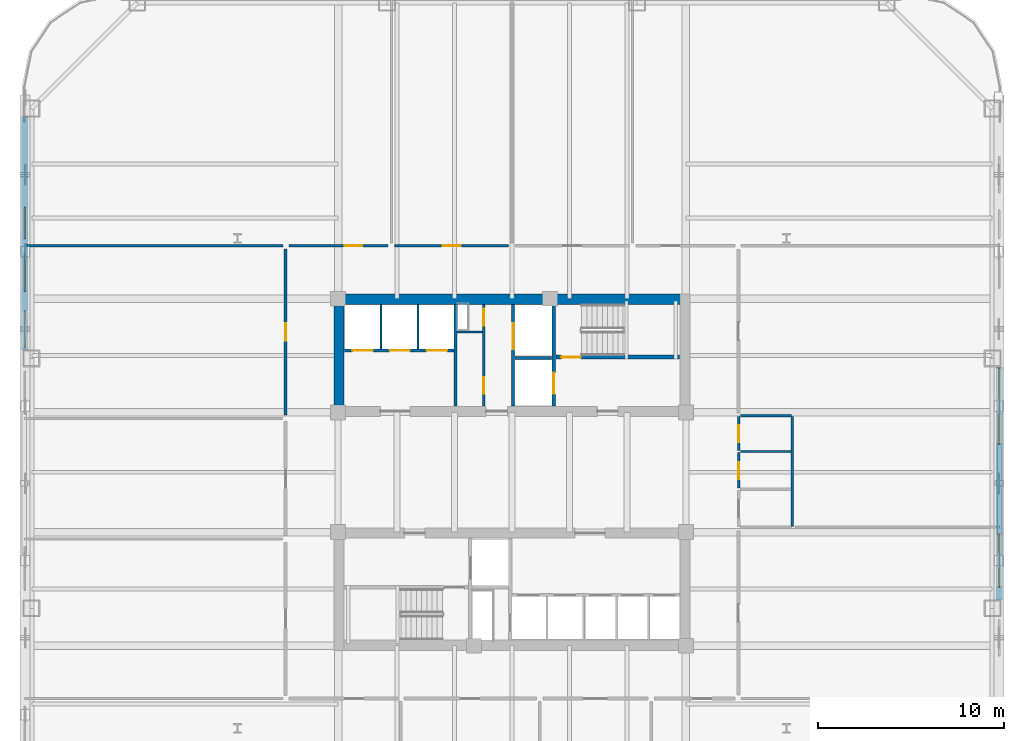
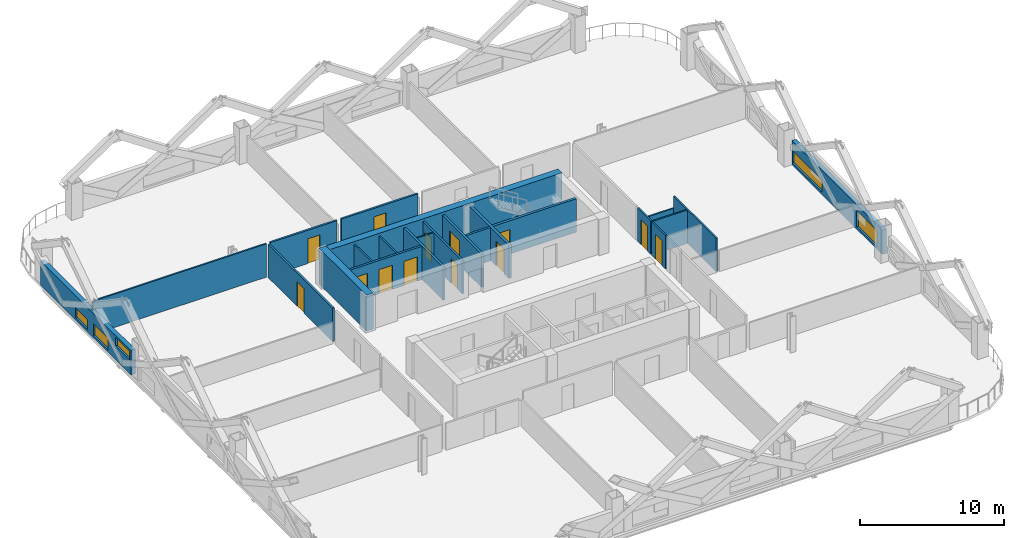
# One storey, part 6 of 13: 23 walls, 13 doors, 5 windows, 18 openings.
"""IFC4 building model written with IfcOpenShell, lengths in metres."""

from ifc_helpers import new_model, si_unit, direction, frame, frame_2d, origin, place, context, subcontext, project, spatial, rectangle, extrude, material, layer, layer_set, type_object, element, fill, save


model = new_model("IFC4")

# Units and contexts
model_context = context("Model", 3, precision=1e-05, world=origin(), true_north=direction((0.0, 1.0)))
body_context = subcontext(model_context, "Body", "Model", "MODEL_VIEW")
ifc_project = project(units=[si_unit("LENGTHUNIT", "METRE"), si_unit("AREAUNIT", "SQUARE_METRE"), si_unit("VOLUMEUNIT", "CUBIC_METRE"), si_unit("PLANEANGLEUNIT", "RADIAN"), si_unit("MASSUNIT", "GRAM", prefix="KILO")], contexts=[model_context])

# Site, building, storey
site_placement = place(None, origin())
site = spatial("IfcSite", under=ifc_project, at=site_placement, CompositionType="ELEMENT")
building_placement = place(site_placement, origin())
building = spatial("IfcBuilding", under=site, at=building_placement, Name="Qhalaya Broadcast Tower", CompositionType="ELEMENT")
storey_placement = place(building_placement, frame((0.0, 0.0, 44.39990234375)))
storey = spatial("IfcBuildingStorey", under=building, at=storey_placement, Name="L12", CompositionType="ELEMENT", Elevation=44.39990234375)

# Wall, openings, doors
ifc_material_1 = material(Name="Gypsum Acoustic Partition")
ifc_layer_1 = layer(ifc_material_1, 0.14990234375, Name="Gypsum Acoustic Partition")
ifc_layer_set_1 = layer_set([ifc_layer_1], Name="Gypsum Acoustic Partition")
wall_type_1 = type_object("IfcWallType", Name="Corridor & Tenancy Acoustic Partition 150", PredefinedType="PARTITIONING", material=ifc_layer_set_1)
wall_1_placement = place(storey_placement, frame((-1.52001953125, 4.169921875, 0.0), z_axis=(0.0, 0.0, 1.0), x_axis=(0.0, 1.0, 0.0)))
wall_1 = element("IfcWall", 1, at=wall_1_placement, inside=storey, type_object=wall_type_1, Name="L12 Partition Wall NCW-SVL", PredefinedType="PARTITIONING", context=body_context, shape_type="SweptSolid", body=[
    extrude(rectangle(XDim=5.4599609375, YDim=0.14990234375, at=frame_2d((2.72998046875, 0.0))), origin(), (0.0, 0.0, 1.0), 2.830078125),
])
opening_1_placement = place(wall_1_placement, frame((4.330078125, 0.0, 0.0)))
opening_1 = element("IfcOpeningElement", 2, at=opening_1_placement, cuts=wall_1, Name="Opening D06", PredefinedType="OPENING", context=body_context, shape_type="SweptSolid", body=[
    extrude(rectangle(XDim=0.89990234375, YDim=2.050048828125, at=frame_2d((0.449951171875, 1.02490234375))), frame((0.0, 0.0869140625, 0.0), z_axis=(0.0, -1.0, 0.0), x_axis=(1.0, 0.0, 0.0)), (0.0, 0.0, 1.0), 0.173828125),
])
opening_2_placement = place(wall_1_placement, frame((0.64990234375, 0.0, 0.0)))
opening_2 = element("IfcOpeningElement", 3, at=opening_2_placement, cuts=wall_1, Name="Opening D06", PredefinedType="OPENING", context=body_context, shape_type="SweptSolid", body=[
    extrude(rectangle(XDim=0.89990234375, YDim=2.050048828125, at=frame_2d((0.449951171875, 1.02490234375))), frame((0.0, 0.0869140625, 0.0), z_axis=(0.0, -1.0, 0.0), x_axis=(1.0, 0.0, 0.0)), (0.0, 0.0, 1.0), 0.173828125),
])
ifc_material_2 = material(Name="Fire-Rated Steel Door", Category="steel")
door_type_1 = type_object("IfcDoorType", Name="Riser & Electrical Shaft Access Door D06", OperationType="NOTDEFINED", PredefinedType="DOOR", material=ifc_material_2)
door_1_placement = place(opening_1_placement, origin())
door_1 = element("IfcDoor", 4, at=door_1_placement, inside=storey, type_object=door_type_1, Name="L12 Riser Shaft Access Door D-NRSR", OperationType="SINGLE_SWING_RIGHT", OverallHeight=2.050048828125, OverallWidth=0.89990234375, PredefinedType="DOOR", context=body_context, shape_type="SweptSolid", body=[
    extrude(rectangle(XDim=0.89990234375, YDim=2.050048828125, at=frame_2d((0.449951171875, 1.02490234375))), frame((0.0, 0.02490234375, 0.0), z_axis=(0.0, -1.0, 0.0), x_axis=(1.0, 0.0, 0.0)), (0.0, 0.0, 1.0), 0.050048828125),
])
fill(opening_1, door_1)
door_2_placement = place(opening_2_placement, origin())
door_2 = element("IfcDoor", 5, at=door_2_placement, inside=storey, type_object=door_type_1, Name="L12 Door D-NCST", OperationType="SINGLE_SWING_LEFT", OverallHeight=2.050048828125, OverallWidth=0.89990234375, PredefinedType="DOOR", context=body_context, shape_type="SweptSolid", body=[
    extrude(rectangle(XDim=0.89990234375, YDim=2.050048828125, at=frame_2d((0.449951171875, 1.02490234375))), frame((0.0, 0.02490234375, 0.0), z_axis=(0.0, -1.0, 0.0), x_axis=(1.0, 0.0, 0.0)), (0.0, 0.0, 1.0), 0.050048828125),
])
fill(opening_2, door_2)

# Wall, opening, door
wall_2_placement = place(storey_placement, frame((-12.02001953125, 12.800048828125, 0.0), z_axis=(0.0, 0.0, 1.0), x_axis=(1.0, 0.0, 0.0)))
wall_2 = element("IfcWall", 6, at=wall_2_placement, inside=storey, type_object=wall_type_1, Name="L12 Partition Wall W-COR-01", PredefinedType="PARTITIONING", context=body_context, shape_type="SweptSolid", body=[
    extrude(rectangle(XDim=5.340087890625, YDim=0.14990234375, at=frame_2d((2.669921875, 0.0))), origin(), (0.0, 0.0, 1.0), 2.830078125),
])
opening_3_placement = place(wall_2_placement, frame((2.9951171875, 0.0, 0.0)))
opening_3 = element("IfcOpeningElement", 7, at=opening_3_placement, cuts=wall_2, Name="Opening D10", PredefinedType="OPENING", context=body_context, shape_type="SweptSolid", body=[
    extrude(rectangle(XDim=0.949951171875, YDim=2.10009765625, at=frame_2d((0.47509765625, 1.050048828125))), frame((0.0, 0.0869140625, 0.0), z_axis=(0.0, -1.0, 0.0), x_axis=(1.0, 0.0, 0.0)), (0.0, 0.0, 1.0), 0.173828125),
])
ifc_material_3 = material(Name="Timber Veneer Acoustic Door", Category="wood")
door_type_2 = type_object("IfcDoorType", Name="Cellular Office & Edit Booth Door D10", OperationType="NOTDEFINED", PredefinedType="DOOR", material=ifc_material_3)
door_3_placement = place(opening_3_placement, origin())
door_3 = element("IfcDoor", 8, at=door_3_placement, inside=storey, type_object=door_type_2, Name="L12 Door D-RM01", OperationType="SINGLE_SWING_RIGHT", OverallHeight=2.10009765625, OverallWidth=0.949951171875, PredefinedType="DOOR", context=body_context, shape_type="SweptSolid", body=[
    extrude(rectangle(XDim=0.949951171875, YDim=2.10009765625, at=frame_2d((0.47509765625, 1.050048828125))), frame((0.0, 0.02490234375, 0.0), z_axis=(0.0, -1.0, 0.0), x_axis=(1.0, 0.0, 0.0)), (0.0, 0.0, 1.0), 0.050048828125),
])
fill(opening_3, door_3)

wall_3_placement = place(storey_placement, frame((-6.320068359375, 12.800048828125, 0.0), z_axis=(0.0, 0.0, 1.0), x_axis=(1.0, 0.0, 0.0)))
wall_3 = element("IfcWall", 9, at=wall_3_placement, inside=storey, type_object=wall_type_1, Name="L12 Partition Wall W-COR-02", PredefinedType="PARTITIONING", context=body_context, shape_type="SweptSolid", body=[
    extrude(rectangle(XDim=6.14013671875, YDim=0.14990234375, at=frame_2d((3.070068359375, 0.0))), origin(), (0.0, 0.0, 1.0), 2.830078125),
])
opening_4_placement = place(wall_3_placement, frame((2.594970703125, 0.0, 0.0)))
opening_4 = element("IfcOpeningElement", 10, at=opening_4_placement, cuts=wall_3, Name="Opening D10", PredefinedType="OPENING", context=body_context, shape_type="SweptSolid", body=[
    extrude(rectangle(XDim=0.949951171875, YDim=2.10009765625, at=frame_2d((0.47509765625, 1.050048828125))), frame((0.0, 0.0869140625, 0.0), z_axis=(0.0, -1.0, 0.0), x_axis=(1.0, 0.0, 0.0)), (0.0, 0.0, 1.0), 0.173828125),
])
door_4_placement = place(opening_4_placement, origin())
door_4 = element("IfcDoor", 11, at=door_4_placement, inside=storey, type_object=door_type_2, Name="L12 Door D-RM02", OperationType="SINGLE_SWING_LEFT", OverallHeight=2.10009765625, OverallWidth=0.949951171875, PredefinedType="DOOR", context=body_context, shape_type="SweptSolid", body=[
    extrude(rectangle(XDim=0.949951171875, YDim=2.10009765625, at=frame_2d((0.47509765625, 1.050048828125))), frame((0.0, 0.02490234375, 0.0), z_axis=(0.0, -1.0, 0.0), x_axis=(1.0, 0.0, 0.0)), (0.0, 0.0, 1.0), 0.050048828125),
])
fill(opening_4, door_4)

wall_4_placement = place(storey_placement, frame((-12.199951171875, 3.679931640625, 0.0), z_axis=(0.0, 0.0, 1.0), x_axis=(0.0, 1.0, 0.0)))
wall_4 = element("IfcWall", 12, at=wall_4_placement, inside=storey, type_object=wall_type_1, Name="L12 Partition Wall W-COR-11", PredefinedType="PARTITIONING", context=body_context, shape_type="SweptSolid", body=[
    extrude(rectangle(XDim=8.940185546875, YDim=0.14990234375, at=frame_2d((4.47021484375, 0.0))), origin(), (0.0, 0.0, 1.0), 2.830078125),
])
opening_5_placement = place(wall_4_placement, frame((3.9951171875, 0.0, 0.0)))
opening_5 = element("IfcOpeningElement", 13, at=opening_5_placement, cuts=wall_4, Name="Opening D10", PredefinedType="OPENING", context=body_context, shape_type="SweptSolid", body=[
    extrude(rectangle(XDim=0.949951171875, YDim=2.10009765625, at=frame_2d((0.47509765625, 1.050048828125))), frame((0.0, 0.0869140625, 0.0), z_axis=(0.0, -1.0, 0.0), x_axis=(1.0, 0.0, 0.0)), (0.0, 0.0, 1.0), 0.173828125),
])
door_5_placement = place(opening_5_placement, origin())
door_5 = element("IfcDoor", 14, at=door_5_placement, inside=storey, type_object=door_type_2, Name="L12 Door D-RM11", OperationType="SINGLE_SWING_RIGHT", OverallHeight=2.10009765625, OverallWidth=0.949951171875, PredefinedType="DOOR", context=body_context, shape_type="SweptSolid", body=[
    extrude(rectangle(XDim=0.949951171875, YDim=2.10009765625, at=frame_2d((0.47509765625, 1.050048828125))), frame((0.0, 0.02490234375, 0.0), z_axis=(0.0, -1.0, 0.0), x_axis=(1.0, 0.0, 0.0)), (0.0, 0.0, 1.0), 0.050048828125),
])
fill(opening_5, door_5)

# Wall, openings, windows
ifc_material_4 = material(Name="Precast Concrete C40/50", Category="concrete")
ifc_layer_2 = layer(ifc_material_4, 0.360107421875, Name="Precast Concrete C40/50")
ifc_layer_set_2 = layer_set([ifc_layer_2], Name="Precast Concrete C40/50")
wall_type_2 = type_object("IfcWallType", Name="Insulated Precast Terracotta Exterior Wall 360", PredefinedType="SOLIDWALL", material=ifc_layer_set_2)
wall_5_placement = place(storey_placement, frame((26.260009765625, 6.283203125, 0.0), z_axis=(0.0, 0.0, 1.0), x_axis=(0.0, -1.0, 0.0)))
wall_5 = element("IfcWall", 15, at=wall_5_placement, inside=storey, type_object=wall_type_2, Name="L12 Exoskeleton Diagrid Infill Wall E2", PredefinedType="SOLIDWALL", context=body_context, shape_type="SweptSolid", body=[
    extrude(rectangle(XDim=12.56640625, YDim=0.360107421875, at=frame_2d((6.283203125, 0.0))), origin(), (0.0, 0.0, 1.0), 2.067138671875),
])
opening_6_placement = place(wall_5_placement, frame((0.071044921875, 0.0, 0.199951171875)))
opening_6 = element("IfcOpeningElement", 16, at=opening_6_placement, cuts=wall_5, Name="Opening W11", PredefinedType="OPENING", context=body_context, shape_type="SweptSolid", body=[
    extrude(rectangle(XDim=4.10009765625, YDim=1.050048828125, at=frame_2d((2.050048828125, 0.52490234375))), frame((0.0, 0.192138671875, 0.0), z_axis=(0.0, -1.0, 0.0), x_axis=(1.0, 0.0, 0.0)), (0.0, 0.0, 1.0), 0.384033203125),
])
opening_7_placement = place(wall_5_placement, frame((9.02099609375, 0.0, 0.199951171875)))
opening_7 = element("IfcOpeningElement", 17, at=opening_7_placement, cuts=wall_5, Name="Opening W11", PredefinedType="OPENING", context=body_context, shape_type="SweptSolid", body=[
    extrude(rectangle(XDim=2.85009765625, YDim=1.39990234375, at=frame_2d((1.425048828125, 0.699951171875))), frame((0.0, 0.192138671875, 0.0), z_axis=(0.0, -1.0, 0.0), x_axis=(1.0, 0.0, 0.0)), (0.0, 0.0, 1.0), 0.384033203125),
])
ifc_material_5 = material(Name="Solar-Control Low-E Triple Glazing", Category="glass")
window_type = type_object("IfcWindowType", Name="Odd-Block Diagrid Infill Window W11", PartitioningType="SINGLE_PANEL", PredefinedType="WINDOW", material=ifc_material_5)
window_1_placement = place(opening_6_placement, origin())
window_1 = element("IfcWindow", 18, at=window_1_placement, inside=storey, type_object=window_type, Name="L12 Diagrid Infill Window W11-E4", OverallHeight=1.050048828125, OverallWidth=4.10009765625, PartitioningType="SINGLE_PANEL", PredefinedType="WINDOW", context=body_context, shape_type="SweptSolid", body=[
    extrude(rectangle(XDim=4.10009765625, YDim=1.050048828125, at=frame_2d((2.050048828125, 0.52490234375))), frame((0.0, 0.030029296875, 0.0), z_axis=(0.0, -1.0, 0.0), x_axis=(1.0, 0.0, 0.0)), (0.0, 0.0, 1.0), 0.06005859375),
])
fill(opening_6, window_1)
window_2_placement = place(opening_7_placement, origin())
window_2 = element("IfcWindow", 19, at=window_2_placement, inside=storey, type_object=window_type, Name="L12 Diagrid Infill Window W11-E5", OverallHeight=1.39990234375, OverallWidth=2.85009765625, PartitioningType="SINGLE_PANEL", PredefinedType="WINDOW", context=body_context, shape_type="SweptSolid", body=[
    extrude(rectangle(XDim=2.85009765625, YDim=1.39990234375, at=frame_2d((1.425048828125, 0.699951171875))), frame((0.0, 0.030029296875, 0.0), z_axis=(0.0, -1.0, 0.0), x_axis=(1.0, 0.0, 0.0)), (0.0, 0.0, 1.0), 0.06005859375),
])
fill(opening_7, window_2)

wall_6_placement = place(storey_placement, frame((-26.260009765625, 7.183349609375, 0.0), z_axis=(0.0, 0.0, 1.0), x_axis=(0.0, 1.0, 0.0)))
wall_6 = element("IfcWall", 20, at=wall_6_placement, inside=storey, type_object=wall_type_2, Name="L12 Exoskeleton Diagrid Infill Wall W3", PredefinedType="SOLIDWALL", context=body_context, shape_type="SweptSolid", body=[
    extrude(rectangle(XDim=12.57861328125, YDim=0.360107421875, at=frame_2d((6.289306640625, 0.0))), origin(), (0.0, 0.0, 1.0), 2.067138671875),
])
opening_8_placement = place(wall_6_placement, frame((0.155029296875, 0.0, 1.199951171875)))
opening_8 = element("IfcOpeningElement", 21, at=opening_8_placement, cuts=wall_6, Name="Opening W11", PredefinedType="OPENING", context=body_context, shape_type="SweptSolid", body=[
    extrude(rectangle(XDim=1.949951171875, YDim=0.699951171875, at=frame_2d((0.97509765625, 0.35009765625))), frame((0.0, 0.192138671875, 0.0), z_axis=(0.0, -1.0, 0.0), x_axis=(1.0, 0.0, 0.0)), (0.0, 0.0, 1.0), 0.384033203125),
])
opening_9_placement = place(wall_6_placement, frame((3.155029296875, 0.0, 0.199951171875)))
opening_9 = element("IfcOpeningElement", 22, at=opening_9_placement, cuts=wall_6, Name="Opening W11", PredefinedType="OPENING", context=body_context, shape_type="SweptSolid", body=[
    extrude(rectangle(XDim=2.050048828125, YDim=1.0, at=frame_2d((1.02490234375, 0.5))), frame((0.0, 0.192138671875, 0.0), z_axis=(0.0, -1.0, 0.0), x_axis=(1.0, 0.0, 0.0)), (0.0, 0.0, 1.0), 0.384033203125),
])
opening_10_placement = place(wall_6_placement, frame((6.0048828125, 0.0, 0.199951171875)))
opening_10 = element("IfcOpeningElement", 23, at=opening_10_placement, cuts=wall_6, Name="Opening W11", PredefinedType="OPENING", context=body_context, shape_type="SweptSolid", body=[
    extrude(rectangle(XDim=1.699951171875, YDim=0.85009765625, at=frame_2d((0.85009765625, 0.425048828125))), frame((0.0, 0.192138671875, 0.0), z_axis=(0.0, -1.0, 0.0), x_axis=(1.0, 0.0, 0.0)), (0.0, 0.0, 1.0), 0.384033203125),
])
window_3_placement = place(opening_8_placement, origin())
window_3 = element("IfcWindow", 24, at=window_3_placement, inside=storey, type_object=window_type, Name="L12 Diagrid Infill Window W11-W5", OverallHeight=0.699951171875, OverallWidth=1.949951171875, PartitioningType="SINGLE_PANEL", PredefinedType="WINDOW", context=body_context, shape_type="SweptSolid", body=[
    extrude(rectangle(XDim=1.949951171875, YDim=0.699951171875, at=frame_2d((0.97509765625, 0.35009765625))), frame((0.0, 0.030029296875, 0.0), z_axis=(0.0, -1.0, 0.0), x_axis=(1.0, 0.0, 0.0)), (0.0, 0.0, 1.0), 0.06005859375),
])
fill(opening_8, window_3)
window_4_placement = place(opening_9_placement, origin())
window_4 = element("IfcWindow", 25, at=window_4_placement, inside=storey, type_object=window_type, Name="L12 Diagrid Infill Window W11-W6", OverallHeight=1.0, OverallWidth=2.050048828125, PartitioningType="SINGLE_PANEL", PredefinedType="WINDOW", context=body_context, shape_type="SweptSolid", body=[
    extrude(rectangle(XDim=2.050048828125, YDim=1.0, at=frame_2d((1.02490234375, 0.5))), frame((0.0, 0.030029296875, 0.0), z_axis=(0.0, -1.0, 0.0), x_axis=(1.0, 0.0, 0.0)), (0.0, 0.0, 1.0), 0.06005859375),
])
fill(opening_9, window_4)
window_5_placement = place(opening_10_placement, origin())
window_5 = element("IfcWindow", 26, at=window_5_placement, inside=storey, type_object=window_type, Name="L12 Diagrid Infill Window W11-W7", OverallHeight=0.85009765625, OverallWidth=1.699951171875, PartitioningType="SINGLE_PANEL", PredefinedType="WINDOW", context=body_context, shape_type="SweptSolid", body=[
    extrude(rectangle(XDim=1.699951171875, YDim=0.85009765625, at=frame_2d((0.85009765625, 0.425048828125))), frame((0.0, 0.030029296875, 0.0), z_axis=(0.0, -1.0, 0.0), x_axis=(1.0, 0.0, 0.0)), (0.0, 0.0, 1.0), 0.06005859375),
])
fill(opening_10, window_5)

# Wall, opening, door
ifc_material_6 = material(Name="Concrete C50/60", Category="concrete")
ifc_layer_3 = layer(ifc_material_6, 0.199951171875, Name="Concrete C50/60")
ifc_layer_set_3 = layer_set([ifc_layer_3], Name="Concrete C50/60")
wall_type_3 = type_object("IfcWallType", Name="Load-Bearing Stair Shaft Wall 200", PredefinedType="SHEAR", material=ifc_layer_set_3)
wall_7_placement = place(storey_placement, frame((2.360107421875, 6.804931640625, 0.0), z_axis=(0.0, 0.0, 1.0), x_axis=(1.0, 0.0, 0.0)))
wall_7 = element("IfcWall", 27, at=wall_7_placement, inside=storey, type_object=wall_type_3, Name="L12 Stair Core Shear Wall NCW-ST1", PredefinedType="SHEAR", context=body_context, shape_type="SweptSolid", body=[
    extrude(rectangle(XDim=6.669921875, YDim=0.199951171875, at=frame_2d((3.3349609375, 0.0))), origin(), (0.0, 0.0, 1.0), 2.830078125),
])
opening_11_placement = place(wall_7_placement, frame((0.300048828125, 0.0, 0.0)))
opening_11 = element("IfcOpeningElement", 28, at=opening_11_placement, cuts=wall_7, Name="Opening D03", PredefinedType="OPENING", context=body_context, shape_type="SweptSolid", body=[
    extrude(rectangle(XDim=1.050048828125, YDim=2.080078125, at=frame_2d((0.52490234375, 1.0400390625))), frame((0.0, 0.112060546875, 0.0), z_axis=(0.0, -1.0, 0.0), x_axis=(1.0, 0.0, 0.0)), (0.0, 0.0, 1.0), 0.223876953125),
])
door_type_3 = type_object("IfcDoorType", Name="Core Stair Protected Fire Door D03", OperationType="NOTDEFINED", PredefinedType="DOOR", material=ifc_material_2)
door_6_placement = place(opening_11_placement, origin())
door_6 = element("IfcDoor", 29, at=door_6_placement, inside=storey, type_object=door_type_3, Name="L12 Door D-NST1", OperationType="SINGLE_SWING_LEFT", OverallHeight=2.080078125, OverallWidth=1.050048828125, PredefinedType="DOOR", context=body_context, shape_type="SweptSolid", body=[
    extrude(rectangle(XDim=1.050048828125, YDim=2.080078125, at=frame_2d((0.52490234375, 1.0400390625))), frame((0.0, 0.02490234375, 0.0), z_axis=(0.0, -1.0, 0.0), x_axis=(1.0, 0.0, 0.0)), (0.0, 0.0, 1.0), 0.050048828125),
])
fill(opening_11, door_6)

wall_8_placement = place(storey_placement, frame((2.25, 4.169921875, 0.0), z_axis=(0.0, 0.0, 1.0), x_axis=(0.0, 1.0, 0.0)))
wall_8 = element("IfcWall", 30, at=wall_8_placement, inside=storey, type_object=wall_type_3, Name="L12 Stair Core Shear Wall NCW-FF", PredefinedType="SHEAR", context=body_context, shape_type="SweptSolid", body=[
    extrude(rectangle(XDim=5.4599609375, YDim=0.199951171875, at=frame_2d((2.72998046875, 0.0))), origin(), (0.0, 0.0, 1.0), 2.830078125),
])
opening_12_placement = place(wall_8_placement, frame((0.64990234375, 0.0, 0.0)))
opening_12 = element("IfcOpeningElement", 31, at=opening_12_placement, cuts=wall_8, Name="Opening LD2", PredefinedType="OPENING", context=body_context, shape_type="SweptSolid", body=[
    extrude(rectangle(XDim=1.14990234375, YDim=2.080078125, at=frame_2d((0.574951171875, 1.0400390625))), frame((0.0, 0.112060546875, 0.0), z_axis=(0.0, -1.0, 0.0), x_axis=(1.0, 0.0, 0.0)), (0.0, 0.0, 1.0), 0.223876953125),
])
ifc_material_7 = material(Name="Brushed Stainless Steel Lift Door", Category="steel")
door_type_4 = type_object("IfcDoorType", Name="Firefighting Lift Sliding Landing Door LD2", OperationType="DOUBLE_DOOR_SLIDING", PredefinedType="DOOR", material=ifc_material_7)
door_7_placement = place(opening_12_placement, origin())
door_7 = element("IfcDoor", 32, at=door_7_placement, inside=storey, type_object=door_type_4, Name="L12 Door LD-FF1", OperationType="DOUBLE_DOOR_SLIDING", OverallHeight=2.080078125, OverallWidth=1.14990234375, PredefinedType="DOOR", context=body_context, shape_type="SweptSolid", body=[
    extrude(rectangle(XDim=1.14990234375, YDim=2.080078125, at=frame_2d((0.574951171875, 1.0400390625))), frame((0.0, 0.02490234375, 0.0), z_axis=(0.0, -1.0, 0.0), x_axis=(1.0, 0.0, 0.0)), (0.0, 0.0, 1.0), 0.050048828125),
])
fill(opening_12, door_7)

# Walls
ifc_material_8 = material(Name="Concrete C60/75", Category="concrete")
ifc_layer_4 = layer(ifc_material_8, 0.550048828125, Name="Concrete C60/75")
ifc_layer_set_4 = layer_set([ifc_layer_4], Name="Concrete C60/75")
wall_type_4 = type_object("IfcWallType", Name="Lower Split-Core Shear Wall 550", PredefinedType="SHEAR", material=ifc_layer_set_4)
wall_9_placement = place(storey_placement, frame((-9.60009765625, 9.925048828125, 0.0), z_axis=(0.0, 0.0, 1.0), x_axis=(1.0, 0.0, 0.0)))
element("IfcWall", 33, at=wall_9_placement, inside=storey, type_object=wall_type_4, Name="L12 Split-Core Shear Wall CW-NN", PredefinedType="SHEAR", context=body_context, shape_type="SweptSolid", body=[
    extrude(rectangle(XDim=19.2001953125, YDim=0.550048828125, at=frame_2d((9.60009765625, 0.0))), origin(), (0.0, 0.0, 1.0), 3.050048828125),
])
wall_10_placement = place(storey_placement, frame((-9.324951171875, 3.60009765625, 0.0), z_axis=(0.0, 0.0, 1.0), x_axis=(0.0, 1.0, 0.0)))
element("IfcWall", 34, at=wall_10_placement, inside=storey, type_object=wall_type_4, Name="L12 Split-Core Shear Wall CW-NW", PredefinedType="SHEAR", context=body_context, shape_type="SweptSolid", body=[
    extrude(rectangle(XDim=6.599853515625, YDim=0.550048828125, at=frame_2d((3.2998046875, 0.0))), origin(), (0.0, 0.0, 1.0), 3.050048828125),
])
ifc_layer_5 = layer(ifc_material_1, 0.1201171875, Name="Gypsum Acoustic Partition")
ifc_layer_set_5 = layer_set([ifc_layer_5], Name="Gypsum Acoustic Partition")
wall_type_5 = type_object("IfcWallType", Name="Office, Booth & Sanitary Partition 120", PredefinedType="PARTITIONING", material=ifc_layer_set_5)
wall_11_placement = place(storey_placement, frame((-2.9599609375, 8.14990234375, 0.0), z_axis=(0.0, 0.0, 1.0), x_axis=(1.0, 0.0, 0.0)))
element("IfcWall", 35, at=wall_11_placement, inside=storey, type_object=wall_type_5, Name="L12 Partition Wall NCW-VA", PredefinedType="PARTITIONING", context=body_context, shape_type="SweptSolid", body=[
    extrude(rectangle(XDim=1.35986328125, YDim=0.1201171875, at=frame_2d((0.679931640625, 0.0))), origin(), (0.0, 0.0, 1.0), 2.830078125),
])
for number, where, z_axis, x_axis, name in (
    (36, (-7.06005859375, 7.25, 0.0), (0.0, 0.0, 1.0), (0.0, 1.0, 0.0), "L12 Partition Wall NCW-PD1"),
    (37, (-5.06005859375, 7.25, 0.0), (0.0, 0.0, 1.0), (0.0, 1.0, 0.0), "L12 Partition Wall NCW-PD2"),
):
    element("IfcWall", number, at=place(storey_placement, frame(where, z_axis=z_axis, x_axis=x_axis)), inside=storey, type_object=wall_type_5, Name=name, PredefinedType="PARTITIONING", context=body_context, shape_type="SweptSolid", body=[
        extrude(rectangle(XDim=2.3798828125, YDim=0.1201171875, at=frame_2d((1.18994140625, 0.0))), origin(), (0.0, 0.0, 1.0), 2.830078125),
    ])

# Wall, opening, door
wall_12_placement = place(storey_placement, frame((12.219970703125, -0.25, 0.0), z_axis=(0.0, 0.0, 1.0), x_axis=(0.0, 1.0, 0.0)))
wall_12 = element("IfcWall", 38, at=wall_12_placement, inside=storey, type_object=wall_type_5, Name="L12 Partition Wall W-WCWM", PredefinedType="PARTITIONING", context=body_context, shape_type="SweptSolid", body=[
    extrude(rectangle(XDim=1.89990234375, YDim=0.1201171875, at=frame_2d((0.949951171875, 0.0))), origin(), (0.0, 0.0, 1.0), 2.830078125),
])
opening_13_placement = place(wall_12_placement, frame((0.47509765625, 0.0, 0.0)))
opening_13 = element("IfcOpeningElement", 39, at=opening_13_placement, cuts=wall_12, Name="Opening D12", PredefinedType="OPENING", context=body_context, shape_type="SweptSolid", body=[
    extrude(rectangle(XDim=0.919921875, YDim=2.10009765625, at=frame_2d((0.4599609375, 1.050048828125))), frame((0.0, 0.072021484375, 0.0), z_axis=(0.0, -1.0, 0.0), x_axis=(1.0, 0.0, 0.0)), (0.0, 0.0, 1.0), 0.14404296875),
])
door_type_5 = type_object("IfcDoorType", Name="Accessible WC & Restroom Door D12", OperationType="NOTDEFINED", PredefinedType="DOOR", material=ifc_material_3)
door_8_placement = place(opening_13_placement, origin())
door_8 = element("IfcDoor", 40, at=door_8_placement, inside=storey, type_object=door_type_5, Name="L12 Door D-WCM", OperationType="SINGLE_SWING_RIGHT", OverallHeight=2.10009765625, OverallWidth=0.919921875, PredefinedType="DOOR", context=body_context, shape_type="SweptSolid", body=[
    extrude(rectangle(XDim=0.919921875, YDim=2.10009765625, at=frame_2d((0.4599609375, 1.050048828125))), frame((0.0, 0.02490234375, 0.0), z_axis=(0.0, -1.0, 0.0), x_axis=(1.0, 0.0, 0.0)), (0.0, 0.0, 1.0), 0.050048828125),
])
fill(opening_13, door_8)

wall_13_placement = place(storey_placement, frame((12.219970703125, 1.780029296875, 0.0), z_axis=(0.0, 0.0, 1.0), x_axis=(0.0, 1.0, 0.0)))
wall_13 = element("IfcWall", 41, at=wall_13_placement, inside=storey, type_object=wall_type_5, Name="L12 Partition Wall W-WCWF", PredefinedType="PARTITIONING", context=body_context, shape_type="SweptSolid", body=[
    extrude(rectangle(XDim=1.830078125, YDim=0.1201171875, at=frame_2d((0.9150390625, 0.0))), origin(), (0.0, 0.0, 1.0), 2.830078125),
])
opening_14_placement = place(wall_13_placement, frame((0.43994140625, 0.0, 0.0)))
opening_14 = element("IfcOpeningElement", 42, at=opening_14_placement, cuts=wall_13, Name="Opening D12", PredefinedType="OPENING", context=body_context, shape_type="SweptSolid", body=[
    extrude(rectangle(XDim=0.919921875, YDim=2.10009765625, at=frame_2d((0.4599609375, 1.050048828125))), frame((0.0, 0.072021484375, 0.0), z_axis=(0.0, -1.0, 0.0), x_axis=(1.0, 0.0, 0.0)), (0.0, 0.0, 1.0), 0.14404296875),
])
door_9_placement = place(opening_14_placement, origin())
door_9 = element("IfcDoor", 43, at=door_9_placement, inside=storey, type_object=door_type_5, Name="L12 Door D-WCF", OperationType="SINGLE_SWING_LEFT", OverallHeight=2.10009765625, OverallWidth=0.919921875, PredefinedType="DOOR", context=body_context, shape_type="SweptSolid", body=[
    extrude(rectangle(XDim=0.919921875, YDim=2.10009765625, at=frame_2d((0.4599609375, 1.050048828125))), frame((0.0, 0.02490234375, 0.0), z_axis=(0.0, -1.0, 0.0), x_axis=(1.0, 0.0, 0.0)), (0.0, 0.0, 1.0), 0.050048828125),
])
fill(opening_14, door_9)

# Walls
wall_14_placement = place(storey_placement, frame((15.10009765625, -2.320068359375, 0.0), z_axis=(0.0, 0.0, 1.0), x_axis=(0.0, 1.0, 0.0)))
element("IfcWall", 44, at=wall_14_placement, inside=storey, type_object=wall_type_5, Name="L12 Partition Wall W-WCE", PredefinedType="PARTITIONING", context=body_context, shape_type="SweptSolid", body=[
    extrude(rectangle(XDim=5.93017578125, YDim=0.1201171875, at=frame_2d((2.965087890625, 0.0))), origin(), (0.0, 0.0, 1.0), 2.830078125),
])
wall_15_placement = place(storey_placement, frame((12.31005859375, 3.639892578125, 0.0), z_axis=(0.0, 0.0, 1.0), x_axis=(1.0, 0.0, 0.0)))
element("IfcWall", 45, at=wall_15_placement, inside=storey, type_object=wall_type_5, Name="L12 Partition Wall W-WCN", PredefinedType="PARTITIONING", context=body_context, shape_type="SweptSolid", body=[
    extrude(rectangle(XDim=2.760009765625, YDim=0.1201171875, at=frame_2d((1.3798828125, 0.0))), origin(), (0.0, 0.0, 1.0), 1.799072265625),
])
wall_16_placement = place(storey_placement, frame((12.31005859375, 1.719970703125, 0.0), z_axis=(0.0, 0.0, 1.0), x_axis=(1.0, 0.0, 0.0)))
element("IfcWall", 46, at=wall_16_placement, inside=storey, type_object=wall_type_5, Name="L12 Partition Wall W-WCD2", PredefinedType="PARTITIONING", context=body_context, shape_type="SweptSolid", body=[
    extrude(rectangle(XDim=2.719970703125, YDim=0.1201171875, at=frame_2d((1.35986328125, 0.0))), origin(), (0.0, 0.0, 1.0), 2.830078125),
])
wall_17_placement = place(storey_placement, frame((-26.280029296875, 12.800048828125, 0.0), z_axis=(0.0, 0.0, 1.0), x_axis=(1.0, 0.0, 0.0)))
element("IfcWall", 47, at=wall_17_placement, inside=storey, type_object=wall_type_5, Name="L12 Partition Wall W-BNDW1", PredefinedType="PARTITIONING", context=body_context, shape_type="SweptSolid", body=[
    extrude(rectangle(XDim=13.93994140625, YDim=0.1201171875, at=frame_2d((6.969970703125, 0.0))), origin(), (0.0, 0.0, 1.0), 2.830078125),
])

# Wall, opening, door
ifc_layer_6 = layer(ifc_material_1, 0.175048828125, Name="Gypsum Acoustic Partition")
ifc_layer_set_6 = layer_set([ifc_layer_6], Name="Gypsum Acoustic Partition")
wall_type_6 = type_object("IfcWallType", Name="Shaft & Riser Fire Partition 175", PredefinedType="PARTITIONING", material=ifc_layer_set_6)
wall_18_placement = place(storey_placement, frame((0.06005859375, 4.169921875, 0.0), z_axis=(0.0, 0.0, 1.0), x_axis=(0.0, 1.0, 0.0)))
wall_18 = element("IfcWall", 48, at=wall_18_placement, inside=storey, type_object=wall_type_6, Name="L12 Partition Wall NCW-SVW", PredefinedType="PARTITIONING", context=body_context, shape_type="SweptSolid", body=[
    extrude(rectangle(XDim=5.4599609375, YDim=0.175048828125, at=frame_2d((2.72998046875, 0.0))), origin(), (0.0, 0.0, 1.0), 2.830078125),
])
opening_15_placement = place(wall_18_placement, frame((3.050048828125, 0.0, 0.0)))
opening_15 = element("IfcOpeningElement", 49, at=opening_15_placement, cuts=wall_18, Name="Opening LD3", PredefinedType="OPENING", context=body_context, shape_type="SweptSolid", body=[
    extrude(rectangle(XDim=1.39990234375, YDim=2.1201171875, at=frame_2d((0.699951171875, 1.06005859375))), frame((0.0, 0.099609375, 0.0), z_axis=(0.0, -1.0, 0.0), x_axis=(1.0, 0.0, 0.0)), (0.0, 0.0, 1.0), 0.198974609375),
])
door_type_6 = type_object("IfcDoorType", Name="Service Lift Wide Sliding Landing Door LD3", OperationType="DOUBLE_DOOR_SLIDING", PredefinedType="DOOR", material=ifc_material_7)
door_10_placement = place(opening_15_placement, origin())
door_10 = element("IfcDoor", 50, at=door_10_placement, inside=storey, type_object=door_type_6, Name="L12 Door LD-SV1", OperationType="DOUBLE_DOOR_SLIDING", OverallHeight=2.1201171875, OverallWidth=1.39990234375, PredefinedType="DOOR", context=body_context, shape_type="SweptSolid", body=[
    extrude(rectangle(XDim=1.39990234375, YDim=2.1201171875, at=frame_2d((0.699951171875, 1.06005859375))), frame((0.0, 0.02490234375, 0.0), z_axis=(0.0, -1.0, 0.0), x_axis=(1.0, 0.0, 0.0)), (0.0, 0.0, 1.0), 0.050048828125),
])
fill(opening_15, door_10)

# Walls
wall_19_placement = place(storey_placement, frame((0.159912109375, 6.75, 0.0), z_axis=(0.0, 0.0, 1.0), x_axis=(1.0, 0.0, 0.0)))
element("IfcWall", 51, at=wall_19_placement, inside=storey, type_object=wall_type_6, Name="L12 Partition Wall NCW-SVM", PredefinedType="PARTITIONING", context=body_context, shape_type="SweptSolid", body=[
    extrude(rectangle(XDim=1.97998046875, YDim=0.175048828125, at=frame_2d((0.989990234375, 0.0))), origin(), (0.0, 0.0, 1.0), 2.830078125),
])
wall_20_placement = place(storey_placement, frame((-3.0400390625, 4.169921875, 0.0), z_axis=(0.0, 0.0, 1.0), x_axis=(0.0, 1.0, 0.0)))
element("IfcWall", 52, at=wall_20_placement, inside=storey, type_object=wall_type_6, Name="L12 Partition Wall NCW-VRW", PredefinedType="PARTITIONING", context=body_context, shape_type="SweptSolid", body=[
    extrude(rectangle(XDim=5.4599609375, YDim=0.175048828125, at=frame_2d((2.72998046875, 0.0))), origin(), (0.0, 0.0, 1.0), 2.830078125),
])

# Wall, openings, doors
wall_21_placement = place(storey_placement, frame((-9.030029296875, 7.159912109375, 0.0), z_axis=(0.0, 0.0, 1.0), x_axis=(1.0, 0.0, 0.0)))
wall_21 = element("IfcWall", 53, at=wall_21_placement, inside=storey, type_object=wall_type_6, Name="L12 Partition Wall NCW-PLB", PredefinedType="PARTITIONING", context=body_context, shape_type="SweptSolid", body=[
    extrude(rectangle(XDim=5.909912109375, YDim=0.175048828125, at=frame_2d((2.955078125, 0.0))), origin(), (0.0, 0.0, 1.0), 2.830078125),
])
opening_16_placement = place(wall_21_placement, frame((0.429931640625, 0.0, 0.0)))
opening_16 = element("IfcOpeningElement", 54, at=opening_16_placement, cuts=wall_21, Name="Opening LD1", PredefinedType="OPENING", context=body_context, shape_type="SweptSolid", body=[
    extrude(rectangle(XDim=1.10009765625, YDim=2.06005859375, at=frame_2d((0.550048828125, 1.030029296875))), frame((0.0, 0.099609375, 0.0), z_axis=(0.0, -1.0, 0.0), x_axis=(1.0, 0.0, 0.0)), (0.0, 0.0, 1.0), 0.198974609375),
])
opening_17_placement = place(wall_21_placement, frame((2.429931640625, 0.0, 0.0)))
opening_17 = element("IfcOpeningElement", 55, at=opening_17_placement, cuts=wall_21, Name="Opening LD1", PredefinedType="OPENING", context=body_context, shape_type="SweptSolid", body=[
    extrude(rectangle(XDim=1.10009765625, YDim=2.06005859375, at=frame_2d((0.550048828125, 1.030029296875))), frame((0.0, 0.099609375, 0.0), z_axis=(0.0, -1.0, 0.0), x_axis=(1.0, 0.0, 0.0)), (0.0, 0.0, 1.0), 0.198974609375),
])
opening_18_placement = place(wall_21_placement, frame((4.429931640625, 0.0, 0.0)))
opening_18 = element("IfcOpeningElement", 56, at=opening_18_placement, cuts=wall_21, Name="Opening LD1", PredefinedType="OPENING", context=body_context, shape_type="SweptSolid", body=[
    extrude(rectangle(XDim=1.10009765625, YDim=2.06005859375, at=frame_2d((0.550048828125, 1.030029296875))), frame((0.0, 0.099609375, 0.0), z_axis=(0.0, -1.0, 0.0), x_axis=(1.0, 0.0, 0.0)), (0.0, 0.0, 1.0), 0.198974609375),
])
door_type_7 = type_object("IfcDoorType", Name="Passenger Lift Sliding Landing Door LD1", OperationType="DOUBLE_DOOR_SLIDING", PredefinedType="DOOR", material=ifc_material_7)
door_11_placement = place(opening_16_placement, origin())
door_11 = element("IfcDoor", 57, at=door_11_placement, inside=storey, type_object=door_type_7, Name="L12 Door LD-P1", OperationType="DOUBLE_DOOR_SLIDING", OverallHeight=2.06005859375, OverallWidth=1.10009765625, PredefinedType="DOOR", context=body_context, shape_type="SweptSolid", body=[
    extrude(rectangle(XDim=1.10009765625, YDim=2.06005859375, at=frame_2d((0.550048828125, 1.030029296875))), frame((0.0, 0.02490234375, 0.0), z_axis=(0.0, -1.0, 0.0), x_axis=(1.0, 0.0, 0.0)), (0.0, 0.0, 1.0), 0.050048828125),
])
fill(opening_16, door_11)
door_12_placement = place(opening_17_placement, origin())
door_12 = element("IfcDoor", 58, at=door_12_placement, inside=storey, type_object=door_type_7, Name="L12 Door LD-P2", OperationType="DOUBLE_DOOR_SLIDING", OverallHeight=2.06005859375, OverallWidth=1.10009765625, PredefinedType="DOOR", context=body_context, shape_type="SweptSolid", body=[
    extrude(rectangle(XDim=1.10009765625, YDim=2.06005859375, at=frame_2d((0.550048828125, 1.030029296875))), frame((0.0, 0.02490234375, 0.0), z_axis=(0.0, -1.0, 0.0), x_axis=(1.0, 0.0, 0.0)), (0.0, 0.0, 1.0), 0.050048828125),
])
fill(opening_17, door_12)
door_13_placement = place(opening_18_placement, origin())
door_13 = element("IfcDoor", 59, at=door_13_placement, inside=storey, type_object=door_type_7, Name="L12 Door LD-P3", OperationType="DOUBLE_DOOR_SLIDING", OverallHeight=2.06005859375, OverallWidth=1.10009765625, PredefinedType="DOOR", context=body_context, shape_type="SweptSolid", body=[
    extrude(rectangle(XDim=1.10009765625, YDim=2.06005859375, at=frame_2d((0.550048828125, 1.030029296875))), frame((0.0, 0.02490234375, 0.0), z_axis=(0.0, -1.0, 0.0), x_axis=(1.0, 0.0, 0.0)), (0.0, 0.0, 1.0), 0.050048828125),
])
fill(opening_18, door_13)

save(model, "model.ifc")
